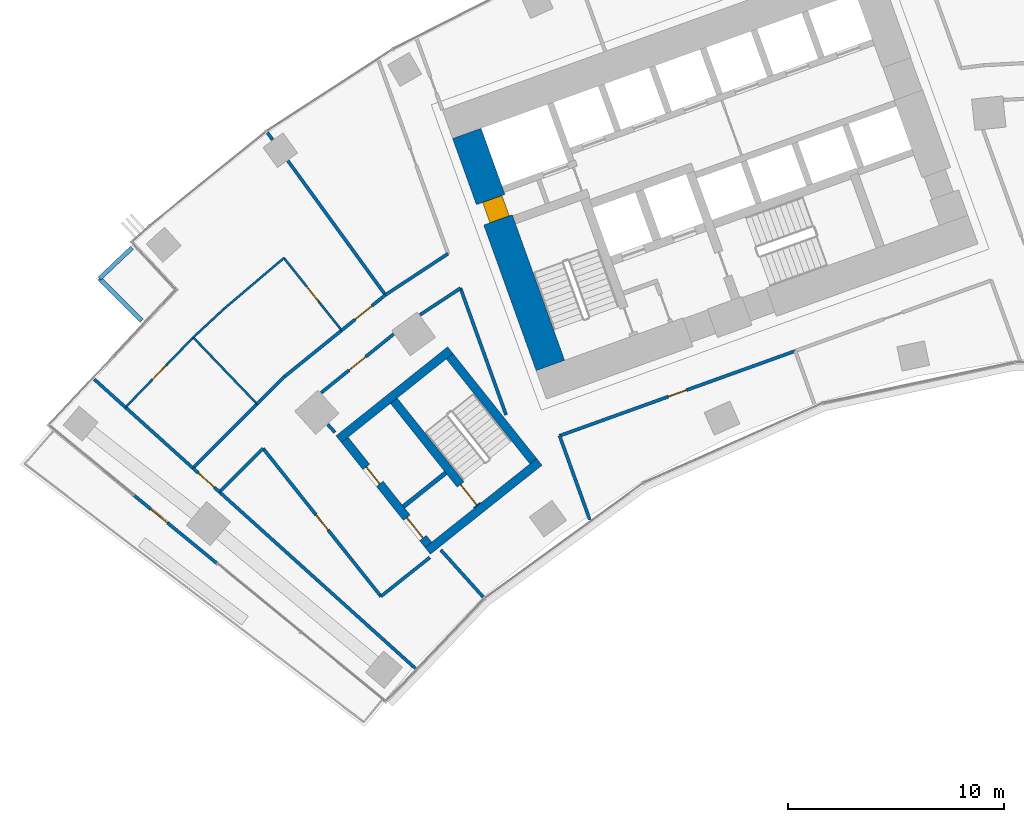
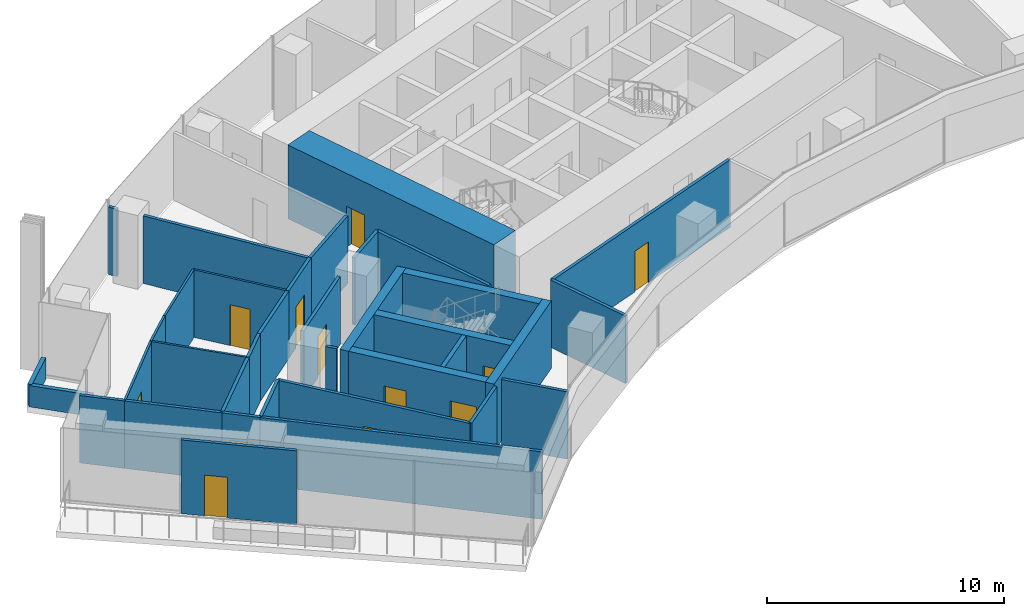
# One storey, part 13 of 20: 36 walls, 12 doors, 12 openings.
"""IFC4 building model written with IfcOpenShell, lengths in metres."""

from ifc_helpers import new_model, si_unit, direction, frame, frame_2d, origin, place, context, subcontext, project, spatial, rectangle, extrude, material, layer, layer_set, type_object, element, fill, save


model = new_model("IFC4")

# Units and contexts
model_context = context("Model", 3, precision=1e-05, world=origin(), true_north=direction((0.0, 1.0)))
body_context = subcontext(model_context, "Body", "Model", "MODEL_VIEW")
ifc_project = project(units=[si_unit("LENGTHUNIT", "METRE"), si_unit("AREAUNIT", "SQUARE_METRE"), si_unit("VOLUMEUNIT", "CUBIC_METRE"), si_unit("PLANEANGLEUNIT", "RADIAN"), si_unit("MASSUNIT", "GRAM", prefix="KILO")], contexts=[model_context])

# Site, building, storey
site_placement = place(None, origin())
site = spatial("IfcSite", under=ifc_project, at=site_placement, CompositionType="ELEMENT")
building_placement = place(site_placement, origin())
building = spatial("IfcBuilding", under=site, at=building_placement, Name="Stone Belt Terrace Tower", CompositionType="ELEMENT")
storey_placement = place(building_placement, frame((0.0, 0.0, 102.199951171875)))
storey = spatial("IfcBuildingStorey", under=building, at=storey_placement, Name="L24", CompositionType="ELEMENT", Elevation=102.199951171875)

# Wall, opening, door
ifc_material_1 = material(Name="Terracotta coloured glazed ceramic", Category="masonry")
ifc_layer_1 = layer(ifc_material_1, 0.14990234375)
ifc_layer_set_1 = layer_set([ifc_layer_1], Name="Ceramic rain-screen wall 150")
wall_type_1 = type_object("IfcWallType", Name="Ceramic rain-screen wall 150", PredefinedType="SOLIDWALL", material=ifc_layer_set_1)
wall_1_placement = place(storey_placement, frame((-45.247802734375, 37.0322265625, 0.0), z_axis=(0.0, 0.0, 1.0), x_axis=(0.773036085282, -0.634362050293, 0.0)))
wall_1 = element("IfcWall", 1, at=wall_1_placement, inside=storey, type_object=wall_type_1, Name="Door wall L24", PredefinedType="SOLIDWALL", context=body_context, shape_type="SweptSolid", body=[
    extrude(rectangle(XDim=4.940185546875, YDim=0.14990234375, at=frame_2d((2.47021484375, 0.0))), origin(), (0.0, 0.0, 1.0), 3.800048828125),
])
opening_1_placement = place(wall_1_placement, frame((1.0, 0.0, 0.0)))
opening_1 = element("IfcOpeningElement", 2, at=opening_1_placement, cuts=wall_1, Name="Opening L24-E01", PredefinedType="OPENING", context=body_context, shape_type="SweptSolid", body=[
    extrude(rectangle(XDim=1.0, YDim=2.10009765625, at=frame_2d((0.5, 1.050048828125))), frame((0.0, 0.0849609375, 0.0), z_axis=(0.0, -1.0, 0.0), x_axis=(1.0, 0.0, 0.0)), (0.0, 0.0, 1.0), 0.169921875),
])
ifc_material_2 = material(Name="Anodised aluminium glazed door", Category="aluminium")
door_type_1 = type_object("IfcDoorType", Name="Terrace door 1000 x 2100", OperationType="NOTDEFINED", PredefinedType="DOOR", material=ifc_material_2)
door_1_placement = place(opening_1_placement, origin())
door_1 = element("IfcDoor", 3, at=door_1_placement, inside=storey, type_object=door_type_1, Name="Terrace door L24", OperationType="SINGLE_SWING_RIGHT", OverallHeight=2.10009765625, OverallWidth=1.0, PredefinedType="DOOR", context=body_context, shape_type="SweptSolid", body=[
    extrude(rectangle(XDim=1.0, YDim=2.10009765625, at=frame_2d((0.5, 1.050048828125))), frame((0.0, 0.02490234375, 0.0), z_axis=(0.0, -1.0, 0.0), x_axis=(1.0, 0.0, 0.0)), (0.0, 0.0, 1.0), 0.050048828125),
])
fill(opening_1, door_1)

ifc_material_3 = material(Name="Concrete B80", Category="concrete")
ifc_layer_2 = layer(ifc_material_3, 1.39990234375)
ifc_layer_set_2 = layer_set([ifc_layer_2], Name="Core wall 1400 B80")
wall_type_2 = type_object("IfcWallType", Name="Core wall 1400 B80", PredefinedType="SHEAR", material=ifc_layer_set_2)
wall_2_placement = place(storey_placement, frame((-26.00927734375, 43.03515625, 0.0), z_axis=(0.0, 0.0, 1.0), x_axis=(-0.338625431531, 0.940921259788, 0.0)))
wall_2 = element("IfcWall", 4, at=wall_2_placement, inside=storey, type_object=wall_type_2, Name="Core A wall end_a L24", PredefinedType="SHEAR", context=body_context, shape_type="SweptSolid", body=[
    extrude(rectangle(XDim=11.400146484375, YDim=1.39990234375, at=frame_2d((5.7001953125, 0.0))), origin(), (0.0, 0.0, 1.0), 3.800048828125),
])
opening_2_placement = place(wall_2_placement, frame((7.14990234375, 0.0, 0.0)))
opening_2 = element("IfcOpeningElement", 5, at=opening_2_placement, cuts=wall_2, Name="Opening L24-C01", PredefinedType="OPENING", context=body_context, shape_type="SweptSolid", body=[
    extrude(rectangle(XDim=1.0, YDim=2.10009765625, at=frame_2d((0.5, 1.050048828125))), frame((0.0, 0.7099609375, 0.0), z_axis=(0.0, -1.0, 0.0), x_axis=(1.0, 0.0, 0.0)), (0.0, 0.0, 1.0), 1.419921875),
])
ifc_material_4 = material(Name="Timber door leaf", Category="wood")
door_type_2 = type_object("IfcDoorType", Name="Core room door 1000", OperationType="SINGLE_SWING_LEFT", PredefinedType="DOOR", material=ifc_material_4)
door_2_placement = place(opening_2_placement, origin())
door_2 = element("IfcDoor", 6, at=door_2_placement, inside=storey, type_object=door_type_2, Name="Door to Telecommunications riser room core A", OperationType="SINGLE_SWING_RIGHT", OverallHeight=2.10009765625, OverallWidth=1.0, PredefinedType="DOOR", context=body_context, shape_type="SweptSolid", body=[
    extrude(rectangle(XDim=1.0, YDim=2.10009765625, at=frame_2d((0.5, 1.050048828125))), frame((0.0, 0.39501953125, 0.0), z_axis=(0.0, -1.0, 0.0), x_axis=(1.0, 0.0, 0.0)), (0.0, 0.0, 1.0), 0.949951171875),
])
fill(opening_2, door_2)

ifc_material_5 = material(Name="Gypsum board partition")
ifc_layer_3 = layer(ifc_material_5, 0.10009765625)
ifc_layer_set_3 = layer_set([ifc_layer_3], Name="PARTITION 100")
wall_type_3 = type_object("IfcWallType", Name="PARTITION 100", PredefinedType="PARTITIONING", material=ifc_layer_set_3)
wall_3_placement = place(storey_placement, frame((-42.51611328125, 44.3330078125, 0.0), z_axis=(0.0, 0.0, 1.0), x_axis=(-0.695786469122, -0.718248696057, 0.0)))
wall_3 = element("IfcWall", 7, at=wall_3_placement, inside=storey, type_object=wall_type_3, Name="L24/wall/i045", PredefinedType="PARTITIONING", context=body_context, shape_type="SweptSolid", body=[
    extrude(rectangle(XDim=4.499755859375, YDim=0.10009765625, at=frame_2d((2.25, 0.0))), origin(), (0.0, 0.0, 1.0), 3.47998046875),
])
opening_3_placement = place(wall_3_placement, frame((1.800048828125, 0.0, 0.0)))
opening_3 = element("IfcOpeningElement", 8, at=opening_3_placement, cuts=wall_3, Name="Opening D-B3-14", PredefinedType="OPENING", context=body_context, shape_type="SweptSolid", body=[
    extrude(rectangle(XDim=0.89990234375, YDim=2.10009765625, at=frame_2d((0.449951171875, 1.050048828125))), frame((0.0, 0.06005859375, 0.0), z_axis=(0.0, -1.0, 0.0), x_axis=(1.0, 0.0, 0.0)), (0.0, 0.0, 1.0), 0.1201171875),
])
door_type_3 = type_object("IfcDoorType", Name="OFFICE DOOR 900 X 2100", OperationType="NOTDEFINED", PredefinedType="DOOR", material=ifc_material_4)
door_3_placement = place(opening_3_placement, origin())
door_3 = element("IfcDoor", 9, at=door_3_placement, inside=storey, type_object=door_type_3, Name="L24/door/i14", OperationType="SINGLE_SWING_RIGHT", OverallHeight=2.10009765625, OverallWidth=0.89990234375, PredefinedType="DOOR", context=body_context, shape_type="SweptSolid", body=[
    extrude(rectangle(XDim=0.89990234375, YDim=2.10009765625, at=frame_2d((0.449951171875, 1.050048828125))), frame((0.0, 0.02490234375, 0.0), z_axis=(0.0, -1.0, 0.0), x_axis=(1.0, 0.0, 0.0)), (0.0, 0.0, 1.0), 0.050048828125),
])
fill(opening_3, door_3)

wall_4_placement = place(storey_placement, frame((-35.656005859375, 44.659912109375, 0.0), z_axis=(0.0, 0.0, 1.0), x_axis=(-0.623775758154, 0.781603354356, 0.0)))
wall_4 = element("IfcWall", 10, at=wall_4_placement, inside=storey, type_object=wall_type_3, Name="L24/wall/i046", PredefinedType="PARTITIONING", context=body_context, shape_type="SweptSolid", body=[
    extrude(rectangle(XDim=4.277099609375, YDim=0.10009765625, at=frame_2d((2.138671875, 0.0))), origin(), (0.0, 0.0, 1.0), 3.47998046875),
])
opening_4_placement = place(wall_4_placement, frame((1.6884765625, 0.0, 0.0)))
opening_4 = element("IfcOpeningElement", 11, at=opening_4_placement, cuts=wall_4, Name="Opening D-B3-15", PredefinedType="OPENING", context=body_context, shape_type="SweptSolid", body=[
    extrude(rectangle(XDim=0.89990234375, YDim=2.10009765625, at=frame_2d((0.449951171875, 1.050048828125))), frame((0.0, 0.06005859375, 0.0), z_axis=(0.0, -1.0, 0.0), x_axis=(1.0, 0.0, 0.0)), (0.0, 0.0, 1.0), 0.1201171875),
])
door_4_placement = place(opening_4_placement, origin())
door_4 = element("IfcDoor", 12, at=door_4_placement, inside=storey, type_object=door_type_3, Name="L24/door/i15", OperationType="SINGLE_SWING_RIGHT", OverallHeight=2.10009765625, OverallWidth=0.89990234375, PredefinedType="DOOR", context=body_context, shape_type="SweptSolid", body=[
    extrude(rectangle(XDim=0.89990234375, YDim=2.10009765625, at=frame_2d((0.449951171875, 1.050048828125))), frame((0.0, 0.02490234375, 0.0), z_axis=(0.0, -1.0, 0.0), x_axis=(1.0, 0.0, 0.0)), (0.0, 0.0, 1.0), 0.050048828125),
])
fill(opening_4, door_4)

# Walls
wall_5_placement = place(storey_placement, frame((-38.323974609375, 48.0029296875, 0.0), z_axis=(0.0, 0.0, 1.0), x_axis=(-0.762559241706, -0.646918389667, 0.0)))
element("IfcWall", 13, at=wall_5_placement, inside=storey, type_object=wall_type_3, Name="L24/wall/i047", PredefinedType="PARTITIONING", context=body_context, shape_type="SweptSolid", body=[
    extrude(rectangle(XDim=3.641845703125, YDim=0.10009765625, at=frame_2d((1.82080078125, 0.0))), origin(), (0.0, 0.0, 1.0), 3.47998046875),
])
wall_6_placement = place(storey_placement, frame((-41.10107421875, 45.64697265625, 0.0), z_axis=(0.0, 0.0, 1.0), x_axis=(-0.732793491626, -0.680451099367, 0.0)))
element("IfcWall", 14, at=wall_6_placement, inside=storey, type_object=wall_type_3, Name="L24/wall/i048", PredefinedType="PARTITIONING", context=body_context, shape_type="SweptSolid", body=[
    extrude(rectangle(XDim=1.930908203125, YDim=0.10009765625, at=frame_2d((0.96533203125, 0.0))), origin(), (0.0, 0.0, 1.0), 3.47998046875),
])
wall_7_placement = place(storey_placement, frame((-42.51611328125, 44.3330078125, 0.0), z_axis=(0.0, 0.0, 1.0), x_axis=(0.692188688201, -0.72171657867, 0.0)))
element("IfcWall", 15, at=wall_7_placement, inside=storey, type_object=wall_type_3, Name="L24/wall/i049", PredefinedType="PARTITIONING", context=body_context, shape_type="SweptSolid", body=[
    extrude(rectangle(XDim=4.266357421875, YDim=0.10009765625, at=frame_2d((2.13330078125, 0.0))), origin(), (0.0, 0.0, 1.0), 3.47998046875),
])
ifc_layer_4 = layer(ifc_material_5, 0.14990234375)
ifc_layer_set_4 = layer_set([ifc_layer_4], Name="PARTITION 150 EI 60")
wall_type_4 = type_object("IfcWallType", Name="PARTITION 150 EI 60", PredefinedType="PARTITIONING", material=ifc_layer_set_4)
wall_8_placement = place(storey_placement, frame((-25.5859375, 39.79296875, 0.0), z_axis=(0.0, 0.0, 1.0), x_axis=(0.338545933013, -0.940949866486, 0.0)))
element("IfcWall", 16, at=wall_8_placement, inside=storey, type_object=wall_type_4, Name="L24/wall/i001", PredefinedType="PARTITIONING", context=body_context, shape_type="SweptSolid", body=[
    extrude(rectangle(XDim=4.135009765625, YDim=0.14990234375, at=frame_2d((2.0673828125, 0.0))), origin(), (0.0, 0.0, 1.0), 3.47998046875),
])
wall_9_placement = place(storey_placement, frame((-28.05810546875, 40.75390625, 0.0), z_axis=(0.0, 0.0, 1.0), x_axis=(-0.338523697563, 0.94095786632, 0.0)))
element("IfcWall", 17, at=wall_9_placement, inside=storey, type_object=wall_type_4, Name="L24/wall/i003", PredefinedType="PARTITIONING", context=body_context, shape_type="SweptSolid", body=[
    extrude(rectangle(XDim=6.226806640625, YDim=0.14990234375, at=frame_2d((3.11328125, 0.0))), origin(), (0.0, 0.0, 1.0), 3.47998046875),
])
wall_10_placement = place(storey_placement, frame((-29.107177734375, 32.32666015625, 0.0), z_axis=(0.0, 0.0, 1.0), x_axis=(-0.669245075227, 0.74304174128, 0.0)))
element("IfcWall", 18, at=wall_10_placement, inside=storey, type_object=wall_type_4, Name="L24/wall/i004", PredefinedType="PARTITIONING", context=body_context, shape_type="SweptSolid", body=[
    extrude(rectangle(XDim=2.9345703125, YDim=0.14990234375, at=frame_2d((1.46728515625, 0.0))), origin(), (0.0, 0.0, 1.0), 3.47998046875),
])

# Wall, opening, door
wall_11_placement = place(storey_placement, frame((-14.68603515625, 43.708984375, 0.0), z_axis=(0.0, 0.0, 1.0), x_axis=(-0.940925563116, -0.338613473854, 0.0)))
wall_11 = element("IfcWall", 19, at=wall_11_placement, inside=storey, type_object=wall_type_4, Name="L24/wall/i010", PredefinedType="PARTITIONING", context=body_context, shape_type="SweptSolid", body=[
    extrude(rectangle(XDim=11.582275390625, YDim=0.14990234375, at=frame_2d((5.791015625, 0.0))), origin(), (0.0, 0.0, 1.0), 3.47998046875),
])
opening_5_placement = place(wall_11_placement, frame((5.341064453125, 0.0, 0.0)))
opening_5 = element("IfcOpeningElement", 20, at=opening_5_placement, cuts=wall_11, Name="Opening D-B3-01", PredefinedType="OPENING", context=body_context, shape_type="SweptSolid", body=[
    extrude(rectangle(XDim=0.89990234375, YDim=2.10009765625, at=frame_2d((0.449951171875, 1.050048828125))), frame((0.0, 0.0849609375, 0.0), z_axis=(0.0, -1.0, 0.0), x_axis=(1.0, 0.0, 0.0)), (0.0, 0.0, 1.0), 0.169921875),
])
door_5_placement = place(opening_5_placement, origin())
door_5 = element("IfcDoor", 21, at=door_5_placement, inside=storey, type_object=door_type_3, Name="L24/door/i01", OperationType="SINGLE_SWING_RIGHT", OverallHeight=2.10009765625, OverallWidth=0.89990234375, PredefinedType="DOOR", context=body_context, shape_type="SweptSolid", body=[
    extrude(rectangle(XDim=0.89990234375, YDim=2.10009765625, at=frame_2d((0.449951171875, 1.050048828125))), frame((0.0, 0.02490234375, 0.0), z_axis=(0.0, -1.0, 0.0), x_axis=(1.0, 0.0, 0.0)), (0.0, 0.0, 1.0), 0.050048828125),
])
fill(opening_5, door_5)

wall_12_placement = place(storey_placement, frame((-41.2958984375, 37.18310546875, 0.0), z_axis=(0.0, 0.0, 1.0), x_axis=(-0.74296518681, 0.669330061471, 0.0)))
wall_12 = element("IfcWall", 22, at=wall_12_placement, inside=storey, type_object=wall_type_4, Name="L24/wall/i028", PredefinedType="PARTITIONING", context=body_context, shape_type="SweptSolid", body=[
    extrude(rectangle(XDim=1.6611328125, YDim=0.14990234375, at=frame_2d((0.83056640625, 0.0))), origin(), (0.0, 0.0, 1.0), 3.47998046875),
])
opening_6_placement = place(wall_12_placement, frame((0.33056640625, 0.0, 0.0)))
opening_6 = element("IfcOpeningElement", 23, at=opening_6_placement, cuts=wall_12, Name="Opening D-B3-09", PredefinedType="OPENING", context=body_context, shape_type="SweptSolid", body=[
    extrude(rectangle(XDim=1.0, YDim=2.10009765625, at=frame_2d((0.5, 1.050048828125))), frame((0.0, 0.0849609375, 0.0), z_axis=(0.0, -1.0, 0.0), x_axis=(1.0, 0.0, 0.0)), (0.0, 0.0, 1.0), 0.169921875),
])
ifc_material_6 = material(Name="Timber fire door leaf", Category="wood")
door_type_4 = type_object("IfcDoorType", Name="TENANCY ENTRANCE DOOR 1000 X 2100", OperationType="NOTDEFINED", PredefinedType="DOOR", material=ifc_material_6)
door_6_placement = place(opening_6_placement, origin())
door_6 = element("IfcDoor", 24, at=door_6_placement, inside=storey, type_object=door_type_4, Name="L24/door/i09", OperationType="SINGLE_SWING_RIGHT", OverallHeight=2.10009765625, OverallWidth=1.0, PredefinedType="DOOR", context=body_context, shape_type="SweptSolid", body=[
    extrude(rectangle(XDim=1.0, YDim=2.10009765625, at=frame_2d((0.5, 1.050048828125))), frame((0.0, 0.02490234375, 0.0), z_axis=(0.0, -1.0, 0.0), x_axis=(1.0, 0.0, 0.0)), (0.0, 0.0, 1.0), 0.050048828125),
])
fill(opening_6, door_6)

# Walls
wall_13_placement = place(storey_placement, frame((-41.303955078125, 37.19091796875, 0.0), z_axis=(0.0, 0.0, 1.0), x_axis=(0.743116779767, -0.669161752963, 0.0)))
element("IfcWall", 25, at=wall_13_placement, inside=storey, type_object=wall_type_4, Name="L24/wall/i029", PredefinedType="PARTITIONING", context=body_context, shape_type="SweptSolid", body=[
    extrude(rectangle(XDim=12.184814453125, YDim=0.14990234375, at=frame_2d((6.09228515625, 0.0))), origin(), (0.0, 0.0, 1.0), 3.47998046875),
])
wall_14_placement = place(storey_placement, frame((-47.09228515625, 42.40283203125, 0.0), z_axis=(0.0, 0.0, 1.0), x_axis=(0.742883296829, -0.669420949248, 0.0)))
element("IfcWall", 26, at=wall_14_placement, inside=storey, type_object=wall_type_4, Name="L24/wall/i030", PredefinedType="PARTITIONING", context=body_context, shape_type="SweptSolid", body=[
    extrude(rectangle(XDim=1.95068359375, YDim=0.14990234375, at=frame_2d((0.975341796875, 0.0))), origin(), (0.0, 0.0, 1.0), 3.47998046875),
])
wall_15_placement = place(storey_placement, frame((-45.65087890625, 41.10498046875, 0.0), z_axis=(0.0, 0.0, 1.0), x_axis=(0.743074998659, -0.669208148761, 0.0)))
element("IfcWall", 27, at=wall_15_placement, inside=storey, type_object=wall_type_4, Name="L24/wall/i031", PredefinedType="PARTITIONING", context=body_context, shape_type="SweptSolid", body=[
    extrude(rectangle(XDim=4.210693359375, YDim=0.14990234375, at=frame_2d((2.10546875, 0.0))), origin(), (0.0, 0.0, 1.0), 3.47998046875),
])
wall_16_placement = place(storey_placement, frame((-30.1640625, 46.60693359375, 0.0), z_axis=(0.0, 0.0, 1.0), x_axis=(-0.835456606052, -0.549556420583, 0.0)))
element("IfcWall", 28, at=wall_16_placement, inside=storey, type_object=wall_type_4, Name="L24/wall/i032", PredefinedType="PARTITIONING", context=body_context, shape_type="SweptSolid", body=[
    extrude(rectangle(XDim=2.239013671875, YDim=0.14990234375, at=frame_2d((1.11962890625, 0.0))), origin(), (0.0, 0.0, 1.0), 3.47998046875),
])

# Wall, opening, door
wall_17_placement = place(storey_placement, frame((-33.253662109375, 44.485107421875, 0.0), z_axis=(0.0, 0.0, 1.0), x_axis=(-0.777153738144, -0.62931078752, 0.0)))
wall_17 = element("IfcWall", 29, at=wall_17_placement, inside=storey, type_object=wall_type_4, Name="L24/wall/i033", PredefinedType="PARTITIONING", context=body_context, shape_type="SweptSolid", body=[
    extrude(rectangle(XDim=4.30517578125, YDim=0.14990234375, at=frame_2d((2.152587890625, 0.0))), origin(), (0.0, 0.0, 1.0), 3.47998046875),
])
opening_7_placement = place(wall_17_placement, frame((1.652587890625, 0.0, 0.0)))
opening_7 = element("IfcOpeningElement", 30, at=opening_7_placement, cuts=wall_17, Name="Opening D-B3-10", PredefinedType="OPENING", context=body_context, shape_type="SweptSolid", body=[
    extrude(rectangle(XDim=1.0, YDim=2.10009765625, at=frame_2d((0.5, 1.050048828125))), frame((0.0, 0.0849609375, 0.0), z_axis=(0.0, -1.0, 0.0), x_axis=(1.0, 0.0, 0.0)), (0.0, 0.0, 1.0), 0.169921875),
])
door_7_placement = place(opening_7_placement, origin())
door_7 = element("IfcDoor", 31, at=door_7_placement, inside=storey, type_object=door_type_4, Name="L24/door/i10", OperationType="SINGLE_SWING_RIGHT", OverallHeight=2.10009765625, OverallWidth=1.0, PredefinedType="DOOR", context=body_context, shape_type="SweptSolid", body=[
    extrude(rectangle(XDim=1.0, YDim=2.10009765625, at=frame_2d((0.5, 1.050048828125))), frame((0.0, 0.02490234375, 0.0), z_axis=(0.0, -1.0, 0.0), x_axis=(1.0, 0.0, 0.0)), (0.0, 0.0, 1.0), 0.050048828125),
])
fill(opening_7, door_7)

# Walls
wall_18_placement = place(storey_placement, frame((-39.281982421875, 39.205078125, 0.0), z_axis=(0.0, 0.0, 1.0), x_axis=(-0.707106781187, -0.707106781187, 0.0)))
element("IfcWall", 32, at=wall_18_placement, inside=storey, type_object=wall_type_4, Name="L24/wall/i034", PredefinedType="PARTITIONING", context=body_context, shape_type="SweptSolid", body=[
    extrude(rectangle(XDim=2.85400390625, YDim=0.14990234375, at=frame_2d((1.427001953125, 0.0))), origin(), (0.0, 0.0, 1.0), 3.47998046875),
])
wall_19_placement = place(storey_placement, frame((-33.635986328125, 46.2958984375, 0.0), z_axis=(0.0, 0.0, 1.0), x_axis=(0.835274160171, 0.549833681535, 0.0)))
element("IfcWall", 33, at=wall_19_placement, inside=storey, type_object=wall_type_4, Name="L24/wall/i035", PredefinedType="PARTITIONING", context=body_context, shape_type="SweptSolid", body=[
    extrude(rectangle(XDim=3.46826171875, YDim=0.14990234375, at=frame_2d((1.734130859375, 0.0))), origin(), (0.0, 0.0, 1.0), 3.47998046875),
])

# Wall, opening, door
wall_20_placement = place(storey_placement, frame((-35.659912109375, 44.656005859375, 0.0), z_axis=(0.0, 0.0, 1.0), x_axis=(0.776967604898, 0.629540579264, 0.0)))
wall_20 = element("IfcWall", 34, at=wall_20_placement, inside=storey, type_object=wall_type_4, Name="L24/wall/i036", PredefinedType="PARTITIONING", context=body_context, shape_type="SweptSolid", body=[
    extrude(rectangle(XDim=2.60498046875, YDim=0.14990234375, at=frame_2d((1.302490234375, 0.0))), origin(), (0.0, 0.0, 1.0), 3.47998046875),
])
opening_8_placement = place(wall_20_placement, frame((0.802490234375, 0.0, 0.0)))
opening_8 = element("IfcOpeningElement", 35, at=opening_8_placement, cuts=wall_20, Name="Opening D-B3-13", PredefinedType="OPENING", context=body_context, shape_type="SweptSolid", body=[
    extrude(rectangle(XDim=1.0, YDim=2.10009765625, at=frame_2d((0.5, 1.050048828125))), frame((0.0, 0.0849609375, 0.0), z_axis=(0.0, -1.0, 0.0), x_axis=(1.0, 0.0, 0.0)), (0.0, 0.0, 1.0), 0.169921875),
])
door_8_placement = place(opening_8_placement, origin())
door_8 = element("IfcDoor", 36, at=door_8_placement, inside=storey, type_object=door_type_4, Name="L24/door/i13", OperationType="SINGLE_SWING_RIGHT", OverallHeight=2.10009765625, OverallWidth=1.0, PredefinedType="DOOR", context=body_context, shape_type="SweptSolid", body=[
    extrude(rectangle(XDim=1.0, YDim=2.10009765625, at=frame_2d((0.5, 1.050048828125))), frame((0.0, 0.02490234375, 0.0), z_axis=(0.0, -1.0, 0.0), x_axis=(1.0, 0.0, 0.0)), (0.0, 0.0, 1.0), 0.050048828125),
])
fill(opening_8, door_8)

# Walls
wall_21_placement = place(storey_placement, frame((-42.52587890625, 38.291015625, 0.0), z_axis=(0.0, 0.0, 1.0), x_axis=(0.70707768753, 0.707135873646, 0.0)))
element("IfcWall", 37, at=wall_21_placement, inside=storey, type_object=wall_type_4, Name="L24/wall/i037", PredefinedType="PARTITIONING", context=body_context, shape_type="SweptSolid", body=[
    extrude(rectangle(XDim=4.19580078125, YDim=0.14990234375, at=frame_2d((2.097900390625, 0.0))), origin(), (0.0, 0.0, 1.0), 3.47998046875),
])
wall_22_placement = place(storey_placement, frame((-39.56689453125, 41.25, 0.0), z_axis=(0.0, 0.0, 1.0), x_axis=(0.707106781187, 0.707106781187, 0.0)))
element("IfcWall", 38, at=wall_22_placement, inside=storey, type_object=wall_type_4, Name="L24/wall/i038", PredefinedType="PARTITIONING", context=body_context, shape_type="SweptSolid", body=[
    extrude(rectangle(XDim=1.804443359375, YDim=0.14990234375, at=frame_2d((0.90234375, 0.0))), origin(), (0.0, 0.0, 1.0), 3.47998046875),
])
wall_23_placement = place(storey_placement, frame((-38.291015625, 42.52587890625, 0.0), z_axis=(0.0, 0.0, 1.0), x_axis=(0.777110974031, 0.629363594467, 0.0)))
element("IfcWall", 39, at=wall_23_placement, inside=storey, type_object=wall_type_4, Name="L24/wall/i039", PredefinedType="PARTITIONING", context=body_context, shape_type="SweptSolid", body=[
    extrude(rectangle(XDim=3.3974609375, YDim=0.14990234375, at=frame_2d((1.69873046875, 0.0))), origin(), (0.0, 0.0, 1.0), 3.47998046875),
])
wall_24_placement = place(storey_placement, frame((-36.297119140625, 40.311767578125, 0.0), z_axis=(0.0, 0.0, 1.0), x_axis=(0.669100229536, -0.743172175768, 0.0)))
element("IfcWall", 40, at=wall_24_placement, inside=storey, type_object=wall_type_4, Name="L24/wall/i040", PredefinedType="PARTITIONING", context=body_context, shape_type="SweptSolid", body=[
    extrude(rectangle(XDim=0.497802734375, YDim=0.14990234375, at=frame_2d((0.2490234375, 0.0))), origin(), (0.0, 0.0, 1.0), 3.47998046875),
])
wall_25_placement = place(storey_placement, frame((-31.58203125, 34.1640625, 0.0), z_axis=(0.0, 0.0, 1.0), x_axis=(-0.78211299795, -0.623136629029, 0.0)))
element("IfcWall", 41, at=wall_25_placement, inside=storey, type_object=wall_type_4, Name="L24/wall/i041", PredefinedType="PARTITIONING", context=body_context, shape_type="SweptSolid", body=[
    extrude(rectangle(XDim=2.88720703125, YDim=0.14990234375, at=frame_2d((1.443603515625, 0.0))), origin(), (0.0, 0.0, 1.0), 3.47998046875),
])

# Wall, opening, door
wall_26_placement = place(storey_placement, frame((-33.841064453125, 32.365966796875, 0.0), z_axis=(0.0, 0.0, 1.0), x_axis=(-0.623078744687, 0.782159112917, 0.0)))
wall_26 = element("IfcWall", 42, at=wall_26_placement, inside=storey, type_object=wall_type_4, Name="L24/wall/i042", PredefinedType="PARTITIONING", context=body_context, shape_type="SweptSolid", body=[
    extrude(rectangle(XDim=8.738525390625, YDim=0.14990234375, at=frame_2d((4.369140625, 0.0))), origin(), (0.0, 0.0, 1.0), 3.47998046875),
])
opening_9_placement = place(wall_26_placement, frame((3.91943359375, 0.0, 0.0)))
opening_9 = element("IfcOpeningElement", 43, at=opening_9_placement, cuts=wall_26, Name="Opening D-B3-11", PredefinedType="OPENING", context=body_context, shape_type="SweptSolid", body=[
    extrude(rectangle(XDim=0.89990234375, YDim=2.10009765625, at=frame_2d((0.449951171875, 1.050048828125))), frame((0.0, 0.0849609375, 0.0), z_axis=(0.0, -1.0, 0.0), x_axis=(1.0, 0.0, 0.0)), (0.0, 0.0, 1.0), 0.169921875),
])
door_9_placement = place(opening_9_placement, origin())
door_9 = element("IfcDoor", 44, at=door_9_placement, inside=storey, type_object=door_type_3, Name="L24/door/i11", OperationType="SINGLE_SWING_RIGHT", OverallHeight=2.10009765625, OverallWidth=0.89990234375, PredefinedType="DOOR", context=body_context, shape_type="SweptSolid", body=[
    extrude(rectangle(XDim=0.89990234375, YDim=2.10009765625, at=frame_2d((0.449951171875, 1.050048828125))), frame((0.0, 0.02490234375, 0.0), z_axis=(0.0, -1.0, 0.0), x_axis=(1.0, 0.0, 0.0)), (0.0, 0.0, 1.0), 0.050048828125),
])
fill(opening_9, door_9)

# Walls
wall_27_placement = place(storey_placement, frame((-33.635986328125, 46.2958984375, 0.0), z_axis=(0.0, 0.0, 1.0), x_axis=(-0.587771704289, 0.809026837402, 0.0)))
element("IfcWall", 45, at=wall_27_placement, inside=storey, type_object=wall_type_4, Name="L24/wall/i043", PredefinedType="PARTITIONING", context=body_context, shape_type="SweptSolid", body=[
    extrude(rectangle(XDim=7.658935546875, YDim=0.14990234375, at=frame_2d((3.82958984375, 0.0))), origin(), (0.0, 0.0, 1.0), 3.47998046875),
])
wall_28_placement = place(storey_placement, frame((-38.848876953125, 53.47119140625, 0.0), z_axis=(0.0, 0.0, 1.0), x_axis=(-0.588207421816, 0.808710101904, 0.0)))
element("IfcWall", 46, at=wall_28_placement, inside=storey, type_object=wall_type_4, Name="L24/wall/i044", PredefinedType="PARTITIONING", context=body_context, shape_type="SweptSolid", body=[
    extrude(rectangle(XDim=0.40625, YDim=0.14990234375, at=frame_2d((0.203125, 0.0))), origin(), (0.0, 0.0, 1.0), 3.47998046875),
])
ifc_material_7 = material(Name="Concrete masonry block", Category="masonry")
ifc_layer_5 = layer(ifc_material_7, 0.199951171875)
ifc_layer_set_5 = layer_set([ifc_layer_5], Name="Rated lobby wall 200")
wall_type_5 = type_object("IfcWallType", Name="Rated lobby wall 200", PredefinedType="PARTITIONING", material=ifc_layer_set_5)
wall_29_placement = place(storey_placement, frame((-30.845703125, 38.074951171875, 0.0), z_axis=(0.0, 0.0, 1.0), x_axis=(-0.782115323833, -0.623133709749, 0.0)))
element("IfcWall", 47, at=wall_29_placement, inside=storey, type_object=wall_type_5, Name="Exit stair ST3A wall", PredefinedType="PARTITIONING", context=body_context, shape_type="SweptSolid", body=[
    extrude(rectangle(XDim=2.5, YDim=0.199951171875, at=frame_2d((1.25, 0.0))), origin(), (0.0, 0.0, 1.0), 3.47998046875),
])
ifc_material_8 = material(Name="Precast concrete C40/50", Category="concrete")
ifc_layer_6 = layer(ifc_material_8, 0.199951171875)
ifc_layer_set_6 = layer_set([ifc_layer_6], Name="Roof parapet 200 x 1100")
wall_type_6 = type_object("IfcWallType", Name="Roof parapet 200 x 1100", PredefinedType="PARAPET", material=ifc_layer_set_6)
wall_30_placement = place(storey_placement, frame((-46.8447265625, 47.05517578125, 0.0), z_axis=(0.0, 0.0, 1.0), x_axis=(0.706575521621, -0.707637641909, 0.0)))
element("IfcWall", 48, at=wall_30_placement, inside=storey, type_object=wall_type_6, Name="PARAPET L24", PredefinedType="PARAPET", context=body_context, shape_type="SweptSolid", body=[
    extrude(rectangle(XDim=2.75830078125, YDim=0.199951171875, at=frame_2d((1.379150390625, 0.0))), origin(), (0.0, 0.0, 1.0), 1.10009765625),
])
wall_31_placement = place(storey_placement, frame((-45.346923828125, 48.4755859375, 0.0), z_axis=(0.0, 0.0, 1.0), x_axis=(-0.725604505883, -0.688111982923, 0.0)))
element("IfcWall", 49, at=wall_31_placement, inside=storey, type_object=wall_type_6, Name="PARAPET L24", PredefinedType="PARAPET", context=body_context, shape_type="SweptSolid", body=[
    extrude(rectangle(XDim=2.064208984375, YDim=0.199951171875, at=frame_2d((1.0322265625, 0.0))), origin(), (0.0, 0.0, 1.0), 1.10009765625),
])
ifc_layer_7 = layer(ifc_material_3, 0.39990234375)
ifc_layer_set_7 = layer_set([ifc_layer_7], Name="Stair enclosure wall 400")
wall_type_7 = type_object("IfcWallType", Name="Stair enclosure wall 400", PredefinedType="SHEAR", material=ifc_layer_set_7)
for number, where, z_axis, x_axis, name in (
    (50, (-26.518798828125, 38.58154296875, 0.0), (0.0, 0.0, 1.0), (-0.782133914161, -0.623110375711, 0.0), "Exit stair ST3A wall"),
    (51, (-30.63134765625, 43.74365234375, 0.0), (0.0, 0.0, 1.0), (-0.782133914161, -0.623110375711, 0.0), "Exit stair ST3A wall"),
):
    element("IfcWall", number, at=place(storey_placement, frame(where, z_axis=z_axis, x_axis=x_axis)), inside=storey, type_object=wall_type_7, Name=name, PredefinedType="SHEAR", context=body_context, shape_type="SweptSolid", body=[
        extrude(rectangle(XDim=6.60009765625, YDim=0.39990234375, at=frame_2d((3.300048828125, 0.0))), origin(), (0.0, 0.0, 1.0), 3.47998046875),
    ])
wall_32_placement = place(storey_placement, frame((-26.7998046875, 38.61328125, 0.0), z_axis=(0.0, 0.0, 1.0), x_axis=(-0.623118653668, 0.782127319208, 0.0)))
element("IfcWall", 52, at=wall_32_placement, inside=storey, type_object=wall_type_7, Name="Exit stair ST3A wall", PredefinedType="SHEAR", context=body_context, shape_type="SweptSolid", body=[
    extrude(rectangle(XDim=6.199951171875, YDim=0.39990234375, at=frame_2d((3.10009765625, 0.0))), origin(), (0.0, 0.0, 1.0), 3.47998046875),
])

# Wall, openings, doors
wall_33_placement = place(storey_placement, frame((-31.64892578125, 34.75, 0.0), z_axis=(0.0, 0.0, 1.0), x_axis=(-0.623118653668, 0.782127319208, 0.0)))
wall_33 = element("IfcWall", 53, at=wall_33_placement, inside=storey, type_object=wall_type_7, Name="Exit stair ST3A wall", PredefinedType="SHEAR", context=body_context, shape_type="SweptSolid", body=[
    extrude(rectangle(XDim=6.199951171875, YDim=0.39990234375, at=frame_2d((3.10009765625, 0.0))), origin(), (0.0, 0.0, 1.0), 3.47998046875),
])
opening_10_placement = place(wall_33_placement, frame((0.39990234375, 0.0, 0.0)))
opening_10 = element("IfcOpeningElement", 54, at=opening_10_placement, cuts=wall_33, Name="Opening L24-C22", PredefinedType="OPENING", context=body_context, shape_type="SweptSolid", body=[
    extrude(rectangle(XDim=1.199951171875, YDim=2.10009765625, at=frame_2d((0.60009765625, 1.050048828125))), frame((0.0, 0.2099609375, 0.0), z_axis=(0.0, -1.0, 0.0), x_axis=(1.0, 0.0, 0.0)), (0.0, 0.0, 1.0), 0.419921875),
])
opening_11_placement = place(wall_33_placement, frame((3.60009765625, 0.0, 0.0)))
opening_11 = element("IfcOpeningElement", 55, at=opening_11_placement, cuts=wall_33, Name="Opening L24-C23", PredefinedType="OPENING", context=body_context, shape_type="SweptSolid", body=[
    extrude(rectangle(XDim=1.0, YDim=2.10009765625, at=frame_2d((0.5, 1.050048828125))), frame((0.0, 0.2099609375, 0.0), z_axis=(0.0, -1.0, 0.0), x_axis=(1.0, 0.0, 0.0)), (0.0, 0.0, 1.0), 0.419921875),
])
door_10_placement = place(opening_11_placement, origin())
door_10 = element("IfcDoor", 56, at=door_10_placement, inside=storey, type_object=door_type_2, Name="Door to stair pressurisation plant room ST3A", OperationType="SINGLE_SWING_RIGHT", OverallHeight=2.10009765625, OverallWidth=1.0, PredefinedType="DOOR", context=body_context, shape_type="SweptSolid", body=[
    extrude(rectangle(XDim=1.0, YDim=2.10009765625, at=frame_2d((0.5, 1.050048828125))), frame((0.0, 0.02490234375, 0.0), z_axis=(0.0, -1.0, 0.0), x_axis=(1.0, 0.0, 0.0)), (0.0, 0.0, 1.0), 0.050048828125),
])
fill(opening_11, door_10)
ifc_material_9 = material(Name="Steel door leaf", Category="steel")
door_type_5 = type_object("IfcDoorType", Name="Stair airlock door 1200", OperationType="SINGLE_SWING_LEFT", PredefinedType="DOOR", material=ifc_material_9)
door_11_placement = place(opening_10_placement, origin())
door_11 = element("IfcDoor", 57, at=door_11_placement, inside=storey, type_object=door_type_5, Name="Stair airlock door ST3A", OperationType="SINGLE_SWING_RIGHT", OverallHeight=2.10009765625, OverallWidth=1.199951171875, PredefinedType="DOOR", context=body_context, shape_type="SweptSolid", body=[
    extrude(rectangle(XDim=1.199951171875, YDim=2.10009765625, at=frame_2d((0.60009765625, 1.050048828125))), frame((0.0, 0.02490234375, 0.0), z_axis=(0.0, -1.0, 0.0), x_axis=(1.0, 0.0, 0.0)), (0.0, 0.0, 1.0), 0.050048828125),
])
fill(opening_10, door_11)

# Wall, opening, door
wall_34_placement = place(storey_placement, frame((-29.380859375, 36.556884765625, 0.0), z_axis=(0.0, 0.0, 1.0), x_axis=(-0.623099462847, 0.782142608097, 0.0)))
wall_34 = element("IfcWall", 58, at=wall_34_placement, inside=storey, type_object=wall_type_7, Name="Exit stair ST3A wall", PredefinedType="SHEAR", context=body_context, shape_type="SweptSolid", body=[
    extrude(rectangle(XDim=6.2001953125, YDim=0.39990234375, at=frame_2d((3.10009765625, 0.0))), origin(), (0.0, 0.0, 1.0), 3.47998046875),
])
opening_12_placement = place(wall_34_placement, frame((0.050048828125, 0.0, 0.0)))
opening_12 = element("IfcOpeningElement", 59, at=opening_12_placement, cuts=wall_34, Name="Opening L24-C21", PredefinedType="OPENING", context=body_context, shape_type="SweptSolid", body=[
    extrude(rectangle(XDim=1.199951171875, YDim=2.10009765625, at=frame_2d((0.60009765625, 1.050048828125))), frame((0.0, 0.2099609375, 0.0), z_axis=(0.0, -1.0, 0.0), x_axis=(1.0, 0.0, 0.0)), (0.0, 0.0, 1.0), 0.419921875),
])
door_type_6 = type_object("IfcDoorType", Name="Stair door 1200", OperationType="SINGLE_SWING_LEFT", PredefinedType="DOOR", material=ifc_material_9)
door_12_placement = place(opening_12_placement, origin())
door_12 = element("IfcDoor", 60, at=door_12_placement, inside=storey, type_object=door_type_6, Name="Stair door ST3A", OperationType="SINGLE_SWING_LEFT", OverallHeight=2.10009765625, OverallWidth=1.199951171875, PredefinedType="DOOR", context=body_context, shape_type="SweptSolid", body=[
    extrude(rectangle(XDim=1.199951171875, YDim=2.10009765625, at=frame_2d((0.60009765625, 1.050048828125))), frame((0.0, 0.02490234375, 0.0), z_axis=(0.0, -1.0, 0.0), x_axis=(1.0, 0.0, 0.0)), (0.0, 0.0, 1.0), 0.050048828125),
])
fill(opening_12, door_12)

save(model, "model.ifc")
